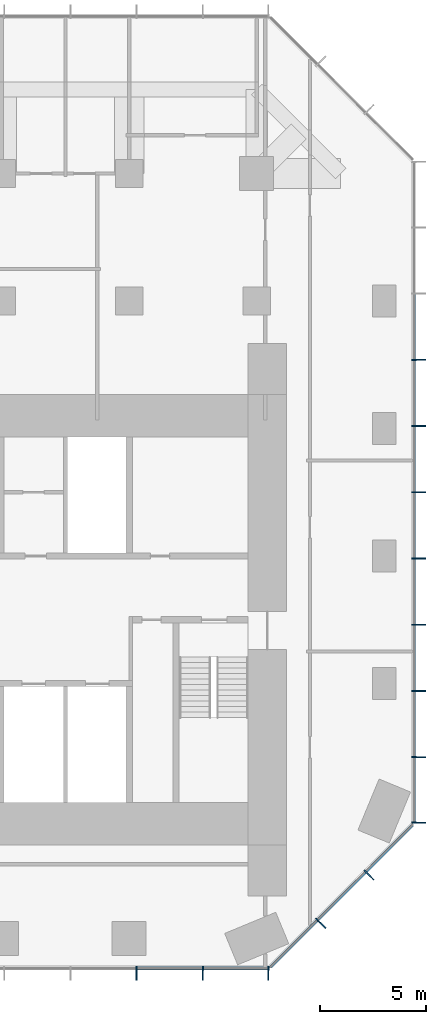
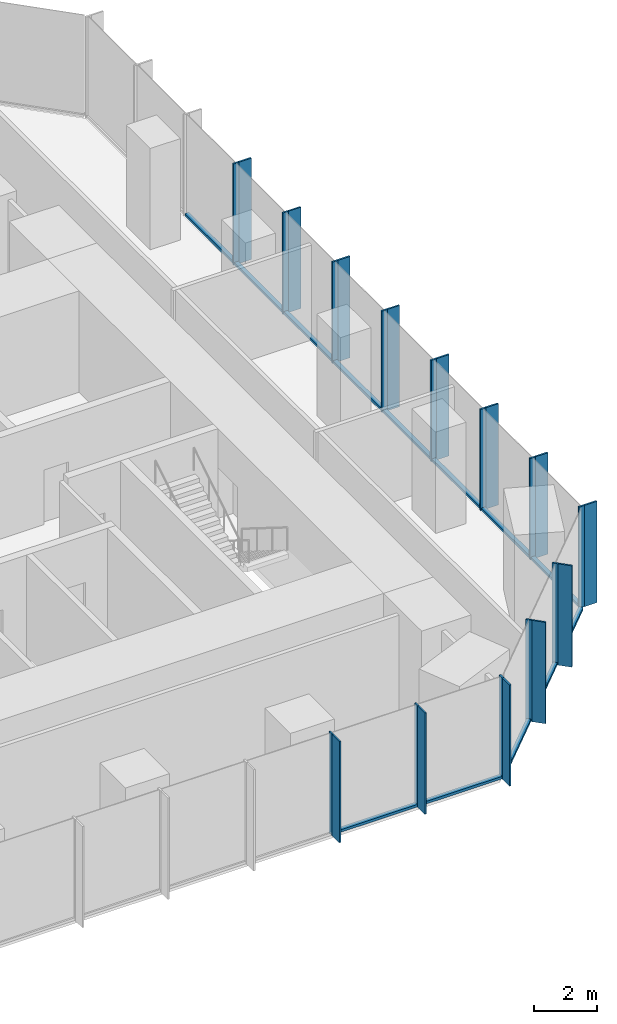
# One storey, part 4 of 11: 39 members, 3 elements without a shape of their own.
"""IFC4 building model written with IfcOpenShell, lengths in metres."""

from ifc_helpers import new_model, si_unit, direction, frame, origin, origin_2d, place, context, subcontext, project, spatial, rectangle, extrude, material, layer, layer_set, material_profile, profile_set, type_object, element, aggregate, save


model = new_model("IFC4")

# Units and contexts
model_context = context("Model", 3, precision=1e-05, world=origin(), true_north=direction((0.0, 1.0)))
body_context = subcontext(model_context, "Body", "Model", "MODEL_VIEW")
ifc_project = project(units=[si_unit("LENGTHUNIT", "METRE"), si_unit("AREAUNIT", "SQUARE_METRE"), si_unit("VOLUMEUNIT", "CUBIC_METRE"), si_unit("PLANEANGLEUNIT", "RADIAN"), si_unit("MASSUNIT", "GRAM", prefix="KILO")], contexts=[model_context])

# Site, building, storey
site_placement = place(None, origin())
site = spatial("IfcSite", under=ifc_project, at=site_placement, CompositionType="ELEMENT")
building_placement = place(site_placement, origin())
building = spatial("IfcBuilding", under=site, at=building_placement, Name="Highveld Stack Headquarters", CompositionType="ELEMENT")
storey_placement = place(building_placement, frame((0.0, 0.0, 204.5)))
storey = spatial("IfcBuildingStorey", under=building, at=storey_placement, Name="L50", CompositionType="ELEMENT", Elevation=204.5)

# Curtain wall, members
ifc_material_1 = material(Name="Aluminium bronze anodised", Category="aluminium")
ifc_layer_1 = layer(ifc_material_1, 0.199951171875)
ifc_layer_set_1 = layer_set([ifc_layer_1], Name="Aluminium bronze anodised")
curtain_wall_type_1 = type_object("IfcCurtainWallType", Name="CW1 TOWER UNITISED CURTAIN WALL", PredefinedType="NOTDEFINED", material=ifc_layer_set_1)
curtain_wall_1_placement = place(storey_placement, origin())
curtain_wall_1 = element("IfcCurtainWall", 1, at=curtain_wall_1_placement, inside=storey, type_object=curtain_wall_type_1, Name="Curtain wall CW1 L50 S", PredefinedType="NOTDEFINED")
ifc_material_2 = material(Name="Aluminium bronze anodised", Category="aluminium")
ifc_material_profile_1 = material_profile(ifc_material_2, rectangle(XDim=0.449951171875, YDim=0.06005859375, at=origin_2d()), Name="FIN 450x60")
ifc_profile_set_1 = profile_set([ifc_material_profile_1], Name="Aluminium bronze anodised")
member_type_1 = type_object("IfcMemberType", Name="CW1 BRONZE FIN 450x60", PredefinedType="USERDEFINED", material=ifc_profile_set_1)
member_1_placement = place(storey_placement, frame((12.347900390625, -13.72509765625, 0.0), z_axis=(0.0, 0.0, 1.0), x_axis=(0.0, 1.0, 0.0)))
member_1 = element("IfcMember", 2, at=member_1_placement, type_object=member_type_1, Name="CW1 fin L50 9", ObjectType="FIN", PredefinedType="USERDEFINED", context=body_context, shape_type="SweptSolid", body=[
    extrude(rectangle(XDim=0.449951171875, YDim=0.06005859375, at=origin_2d()), origin(), (0.0, 0.0, 1.0), 3.89990234375),
])
member_2_placement = place(storey_placement, frame((15.4638671875, -13.72509765625, 0.0), z_axis=(0.0, 0.0, 1.0), x_axis=(0.0, 1.0, 0.0)))
member_2 = element("IfcMember", 3, at=member_2_placement, type_object=member_type_1, Name="CW1 fin L50 10", ObjectType="FIN", PredefinedType="USERDEFINED", context=body_context, shape_type="SweptSolid", body=[
    extrude(rectangle(XDim=0.449951171875, YDim=0.06005859375, at=origin_2d()), origin(), (0.0, 0.0, 1.0), 3.89990234375),
])
member_3_placement = place(storey_placement, frame((18.54736328125, -13.72509765625, 0.0), z_axis=(0.0, 0.0, 1.0), x_axis=(0.0, 1.0, 0.0)))
member_3 = element("IfcMember", 4, at=member_3_placement, type_object=member_type_1, Name="CW1 fin L50 11", ObjectType="FIN", PredefinedType="USERDEFINED", context=body_context, shape_type="SweptSolid", body=[
    extrude(rectangle(XDim=0.449951171875, YDim=0.06005859375, at=origin_2d()), origin(), (0.0, 0.0, 1.0), 3.89990234375),
])

curtain_wall_2_placement = place(storey_placement, origin())
curtain_wall_2 = element("IfcCurtainWall", 5, at=curtain_wall_2_placement, inside=storey, type_object=curtain_wall_type_1, Name="Curtain wall CW1 L50 E", PredefinedType="NOTDEFINED")
member_4_placement = place(storey_placement, frame((25.72509765625, -6.54736328125, 0.0), z_axis=(0.0, 0.0, 1.0), x_axis=(-1.0, 0.0, 0.0)))
member_4 = element("IfcMember", 6, at=member_4_placement, type_object=member_type_1, Name="CW1 fin L50 1", ObjectType="FIN", PredefinedType="USERDEFINED", context=body_context, shape_type="SweptSolid", body=[
    extrude(rectangle(XDim=0.449951171875, YDim=0.06005859375, at=origin_2d()), origin(), (0.0, 0.0, 1.0), 3.89990234375),
])
member_5_placement = place(storey_placement, frame((25.72509765625, -3.4638671875, 0.0), z_axis=(0.0, 0.0, 1.0), x_axis=(-1.0, 0.0, 0.0)))
member_5 = element("IfcMember", 7, at=member_5_placement, type_object=member_type_1, Name="CW1 fin L50 2", ObjectType="FIN", PredefinedType="USERDEFINED", context=body_context, shape_type="SweptSolid", body=[
    extrude(rectangle(XDim=0.449951171875, YDim=0.06005859375, at=origin_2d()), origin(), (0.0, 0.0, 1.0), 3.89990234375),
])
member_6_placement = place(storey_placement, frame((25.72509765625, -0.347900390625, 0.0), z_axis=(0.0, 0.0, 1.0), x_axis=(-1.0, 0.0, 0.0)))
member_6 = element("IfcMember", 8, at=member_6_placement, type_object=member_type_1, Name="CW1 fin L50 3", ObjectType="FIN", PredefinedType="USERDEFINED", context=body_context, shape_type="SweptSolid", body=[
    extrude(rectangle(XDim=0.449951171875, YDim=0.06005859375, at=origin_2d()), origin(), (0.0, 0.0, 1.0), 3.89990234375),
])
member_7_placement = place(storey_placement, frame((25.72509765625, 2.76806640625, 0.0), z_axis=(0.0, 0.0, 1.0), x_axis=(-1.0, 0.0, 0.0)))
member_7 = element("IfcMember", 9, at=member_7_placement, type_object=member_type_1, Name="CW1 fin L50 4", ObjectType="FIN", PredefinedType="USERDEFINED", context=body_context, shape_type="SweptSolid", body=[
    extrude(rectangle(XDim=0.449951171875, YDim=0.06005859375, at=origin_2d()), origin(), (0.0, 0.0, 1.0), 3.89990234375),
])
member_8_placement = place(storey_placement, frame((25.72509765625, 5.884033203125, 0.0), z_axis=(0.0, 0.0, 1.0), x_axis=(-1.0, 0.0, 0.0)))
member_8 = element("IfcMember", 10, at=member_8_placement, type_object=member_type_1, Name="CW1 fin L50 5", ObjectType="FIN", PredefinedType="USERDEFINED", context=body_context, shape_type="SweptSolid", body=[
    extrude(rectangle(XDim=0.449951171875, YDim=0.06005859375, at=origin_2d()), origin(), (0.0, 0.0, 1.0), 3.89990234375),
])
member_9_placement = place(storey_placement, frame((25.72509765625, 9.0, 0.0), z_axis=(0.0, 0.0, 1.0), x_axis=(-1.0, 0.0, 0.0)))
member_9 = element("IfcMember", 11, at=member_9_placement, type_object=member_type_1, Name="CW1 fin L50 6", ObjectType="FIN", PredefinedType="USERDEFINED", context=body_context, shape_type="SweptSolid", body=[
    extrude(rectangle(XDim=0.449951171875, YDim=0.06005859375, at=origin_2d()), origin(), (0.0, 0.0, 1.0), 3.89990234375),
])
member_10_placement = place(storey_placement, frame((25.72509765625, 12.115966796875, 0.0), z_axis=(0.0, 0.0, 1.0), x_axis=(-1.0, 0.0, 0.0)))
member_10 = element("IfcMember", 12, at=member_10_placement, type_object=member_type_1, Name="CW1 fin L50 7", ObjectType="FIN", PredefinedType="USERDEFINED", context=body_context, shape_type="SweptSolid", body=[
    extrude(rectangle(XDim=0.449951171875, YDim=0.06005859375, at=origin_2d()), origin(), (0.0, 0.0, 1.0), 3.89990234375),
])
member_11_placement = place(storey_placement, frame((25.72509765625, 15.23193359375, 0.0), z_axis=(0.0, 0.0, 1.0), x_axis=(-1.0, 0.0, 0.0)))
member_11 = element("IfcMember", 13, at=member_11_placement, type_object=member_type_1, Name="CW1 fin L50 8", ObjectType="FIN", PredefinedType="USERDEFINED", context=body_context, shape_type="SweptSolid", body=[
    extrude(rectangle(XDim=0.449951171875, YDim=0.06005859375, at=origin_2d()), origin(), (0.0, 0.0, 1.0), 3.89990234375),
])

# Member
ifc_material_3 = material(Name="Aluminium bronze anodised", Category="aluminium")
ifc_material_profile_2 = material_profile(ifc_material_3, rectangle(XDim=0.199951171875, YDim=0.06494140625, at=origin_2d()), Name="CW1 MULLION 65x200")
ifc_profile_set_2 = profile_set([ifc_material_profile_2], Name="Aluminium bronze anodised")
member_type_2 = type_object("IfcMemberType", Name="CW1 MULLION 65x200", PredefinedType="MULLION", material=ifc_profile_set_2)
member_12_placement = place(storey_placement, frame((12.347900390625, -13.39990234375, 0.0), z_axis=(0.0, 0.0, 1.0), x_axis=(0.0, 1.0, 0.0)))
member_12 = element("IfcMember", 14, at=member_12_placement, type_object=member_type_2, Name="CW1 mullion L50 9", PredefinedType="MULLION", context=body_context, shape_type="SweptSolid", body=[
    extrude(rectangle(XDim=0.199951171875, YDim=0.06494140625, at=origin_2d()), origin(), (0.0, 0.0, 1.0), 3.89990234375),
])

member_13_placement = place(storey_placement, frame((15.4638671875, -13.39990234375, 0.0), z_axis=(0.0, 0.0, 1.0), x_axis=(0.0, 1.0, 0.0)))
member_13 = element("IfcMember", 15, at=member_13_placement, type_object=member_type_2, Name="CW1 mullion L50 10", PredefinedType="MULLION", context=body_context, shape_type="SweptSolid", body=[
    extrude(rectangle(XDim=0.199951171875, YDim=0.06494140625, at=origin_2d()), origin(), (0.0, 0.0, 1.0), 3.89990234375),
])

member_14_placement = place(storey_placement, frame((18.54736328125, -13.39990234375, 0.0), z_axis=(0.0, 0.0, 1.0), x_axis=(0.0, 1.0, 0.0)))
member_14 = element("IfcMember", 16, at=member_14_placement, type_object=member_type_2, Name="CW1 mullion L50 11", PredefinedType="MULLION", context=body_context, shape_type="SweptSolid", body=[
    extrude(rectangle(XDim=0.199951171875, YDim=0.06494140625, at=origin_2d()), origin(), (0.0, 0.0, 1.0), 3.89990234375),
])

member_15_placement = place(storey_placement, frame((25.39990234375, -6.54736328125, 0.0), z_axis=(0.0, 0.0, 1.0), x_axis=(-1.0, 0.0, 0.0)))
member_15 = element("IfcMember", 17, at=member_15_placement, type_object=member_type_2, Name="CW1 mullion L50 1", PredefinedType="MULLION", context=body_context, shape_type="SweptSolid", body=[
    extrude(rectangle(XDim=0.199951171875, YDim=0.06494140625, at=origin_2d()), origin(), (0.0, 0.0, 1.0), 3.89990234375),
])

member_16_placement = place(storey_placement, frame((25.39990234375, -3.4638671875, 0.0), z_axis=(0.0, 0.0, 1.0), x_axis=(-1.0, 0.0, 0.0)))
member_16 = element("IfcMember", 18, at=member_16_placement, type_object=member_type_2, Name="CW1 mullion L50 2", PredefinedType="MULLION", context=body_context, shape_type="SweptSolid", body=[
    extrude(rectangle(XDim=0.199951171875, YDim=0.06494140625, at=origin_2d()), origin(), (0.0, 0.0, 1.0), 3.89990234375),
])

member_17_placement = place(storey_placement, frame((25.39990234375, -0.347900390625, 0.0), z_axis=(0.0, 0.0, 1.0), x_axis=(-1.0, 0.0, 0.0)))
member_17 = element("IfcMember", 19, at=member_17_placement, type_object=member_type_2, Name="CW1 mullion L50 3", PredefinedType="MULLION", context=body_context, shape_type="SweptSolid", body=[
    extrude(rectangle(XDim=0.199951171875, YDim=0.06494140625, at=origin_2d()), origin(), (0.0, 0.0, 1.0), 3.89990234375),
])

member_18_placement = place(storey_placement, frame((25.39990234375, 2.76806640625, 0.0), z_axis=(0.0, 0.0, 1.0), x_axis=(-1.0, 0.0, 0.0)))
member_18 = element("IfcMember", 20, at=member_18_placement, type_object=member_type_2, Name="CW1 mullion L50 4", PredefinedType="MULLION", context=body_context, shape_type="SweptSolid", body=[
    extrude(rectangle(XDim=0.199951171875, YDim=0.06494140625, at=origin_2d()), origin(), (0.0, 0.0, 1.0), 3.89990234375),
])

member_19_placement = place(storey_placement, frame((25.39990234375, 5.884033203125, 0.0), z_axis=(0.0, 0.0, 1.0), x_axis=(-1.0, 0.0, 0.0)))
member_19 = element("IfcMember", 21, at=member_19_placement, type_object=member_type_2, Name="CW1 mullion L50 5", PredefinedType="MULLION", context=body_context, shape_type="SweptSolid", body=[
    extrude(rectangle(XDim=0.199951171875, YDim=0.06494140625, at=origin_2d()), origin(), (0.0, 0.0, 1.0), 3.89990234375),
])

member_20_placement = place(storey_placement, frame((25.39990234375, 9.0, 0.0), z_axis=(0.0, 0.0, 1.0), x_axis=(-1.0, 0.0, 0.0)))
member_20 = element("IfcMember", 22, at=member_20_placement, type_object=member_type_2, Name="CW1 mullion L50 6", PredefinedType="MULLION", context=body_context, shape_type="SweptSolid", body=[
    extrude(rectangle(XDim=0.199951171875, YDim=0.06494140625, at=origin_2d()), origin(), (0.0, 0.0, 1.0), 3.89990234375),
])

member_21_placement = place(storey_placement, frame((25.39990234375, 12.115966796875, 0.0), z_axis=(0.0, 0.0, 1.0), x_axis=(-1.0, 0.0, 0.0)))
member_21 = element("IfcMember", 23, at=member_21_placement, type_object=member_type_2, Name="CW1 mullion L50 7", PredefinedType="MULLION", context=body_context, shape_type="SweptSolid", body=[
    extrude(rectangle(XDim=0.199951171875, YDim=0.06494140625, at=origin_2d()), origin(), (0.0, 0.0, 1.0), 3.89990234375),
])

member_22_placement = place(storey_placement, frame((25.39990234375, 15.23193359375, 0.0), z_axis=(0.0, 0.0, 1.0), x_axis=(-1.0, 0.0, 0.0)))
member_22 = element("IfcMember", 24, at=member_22_placement, type_object=member_type_2, Name="CW1 mullion L50 8", PredefinedType="MULLION", context=body_context, shape_type="SweptSolid", body=[
    extrude(rectangle(XDim=0.199951171875, YDim=0.06494140625, at=origin_2d()), origin(), (0.0, 0.0, 1.0), 3.89990234375),
])

ifc_material_4 = material(Name="Aluminium bronze anodised", Category="aluminium")
ifc_material_profile_3 = material_profile(ifc_material_4, rectangle(XDim=0.14990234375, YDim=0.10009765625, at=origin_2d()), Name="CW1 TRANSOM 150x100")
ifc_profile_set_3 = profile_set([ifc_material_profile_3], Name="Aluminium bronze anodised")
member_type_3 = type_object("IfcMemberType", Name="CW1 STACK TRANSOM 150x100", PredefinedType="USERDEFINED", material=ifc_profile_set_3)
member_23_placement = place(storey_placement, frame((12.38037109375, -13.39990234375, 0.050048828125), z_axis=(1.0, 0.0, 0.0), x_axis=(0.0, 1.0, 0.0)))
member_23 = element("IfcMember", 25, at=member_23_placement, type_object=member_type_3, Name="CW1 transom L50 9.1", ObjectType="TRANSOM", PredefinedType="USERDEFINED", context=body_context, shape_type="SweptSolid", body=[
    extrude(rectangle(XDim=0.14990234375, YDim=0.10009765625, at=origin_2d()), origin(), (0.0, 0.0, 1.0), 3.051025390625),
])

member_24_placement = place(storey_placement, frame((15.496337890625, -13.39990234375, 0.050048828125), z_axis=(1.0, 0.0, 0.0), x_axis=(0.0, 1.0, 0.0)))
member_24 = element("IfcMember", 26, at=member_24_placement, type_object=member_type_3, Name="CW1 transom L50 10.1", ObjectType="TRANSOM", PredefinedType="USERDEFINED", context=body_context, shape_type="SweptSolid", body=[
    extrude(rectangle(XDim=0.14990234375, YDim=0.10009765625, at=origin_2d()), origin(), (0.0, 0.0, 1.0), 3.0185546875),
])

aggregate(curtain_wall_1, [member_12, member_1, member_13, member_2, member_14, member_3, member_23, member_24])

member_25_placement = place(storey_placement, frame((25.39990234375, -6.514892578125, 0.050048828125), z_axis=(0.0, 1.0, 0.0), x_axis=(-1.0, 0.0, 0.0)))
member_25 = element("IfcMember", 27, at=member_25_placement, type_object=member_type_3, Name="CW1 transom L50 1.1", ObjectType="TRANSOM", PredefinedType="USERDEFINED", context=body_context, shape_type="SweptSolid", body=[
    extrude(rectangle(XDim=0.14990234375, YDim=0.10009765625, at=origin_2d()), origin(), (0.0, 0.0, 1.0), 3.0185546875),
])

member_26_placement = place(storey_placement, frame((25.39990234375, -3.431396484375, 0.050048828125), z_axis=(0.0, 1.0, 0.0), x_axis=(-1.0, 0.0, 0.0)))
member_26 = element("IfcMember", 28, at=member_26_placement, type_object=member_type_3, Name="CW1 transom L50 2.1", ObjectType="TRANSOM", PredefinedType="USERDEFINED", context=body_context, shape_type="SweptSolid", body=[
    extrude(rectangle(XDim=0.14990234375, YDim=0.10009765625, at=origin_2d()), origin(), (0.0, 0.0, 1.0), 3.051025390625),
])

member_27_placement = place(storey_placement, frame((25.39990234375, -0.3154296875, 0.050048828125), z_axis=(0.0, 1.0, 0.0), x_axis=(-1.0, 0.0, 0.0)))
member_27 = element("IfcMember", 29, at=member_27_placement, type_object=member_type_3, Name="CW1 transom L50 3.1", ObjectType="TRANSOM", PredefinedType="USERDEFINED", context=body_context, shape_type="SweptSolid", body=[
    extrude(rectangle(XDim=0.14990234375, YDim=0.10009765625, at=origin_2d()), origin(), (0.0, 0.0, 1.0), 3.051025390625),
])

member_28_placement = place(storey_placement, frame((25.39990234375, 2.800537109375, 0.050048828125), z_axis=(0.0, 1.0, 0.0), x_axis=(-1.0, 0.0, 0.0)))
member_28 = element("IfcMember", 30, at=member_28_placement, type_object=member_type_3, Name="CW1 transom L50 4.1", ObjectType="TRANSOM", PredefinedType="USERDEFINED", context=body_context, shape_type="SweptSolid", body=[
    extrude(rectangle(XDim=0.14990234375, YDim=0.10009765625, at=origin_2d()), origin(), (0.0, 0.0, 1.0), 3.051025390625),
])

member_29_placement = place(storey_placement, frame((25.39990234375, 5.91650390625, 0.050048828125), z_axis=(0.0, 1.0, 0.0), x_axis=(-1.0, 0.0, 0.0)))
member_29 = element("IfcMember", 31, at=member_29_placement, type_object=member_type_3, Name="CW1 transom L50 5.1", ObjectType="TRANSOM", PredefinedType="USERDEFINED", context=body_context, shape_type="SweptSolid", body=[
    extrude(rectangle(XDim=0.14990234375, YDim=0.10009765625, at=origin_2d()), origin(), (0.0, 0.0, 1.0), 3.051025390625),
])

member_30_placement = place(storey_placement, frame((25.39990234375, 9.032470703125, 0.050048828125), z_axis=(0.0, 1.0, 0.0), x_axis=(-1.0, 0.0, 0.0)))
member_30 = element("IfcMember", 32, at=member_30_placement, type_object=member_type_3, Name="CW1 transom L50 6.1", ObjectType="TRANSOM", PredefinedType="USERDEFINED", context=body_context, shape_type="SweptSolid", body=[
    extrude(rectangle(XDim=0.14990234375, YDim=0.10009765625, at=origin_2d()), origin(), (0.0, 0.0, 1.0), 3.051025390625),
])

member_31_placement = place(storey_placement, frame((25.39990234375, 12.1484375, 0.050048828125), z_axis=(0.0, 1.0, 0.0), x_axis=(-1.0, 0.0, 0.0)))
member_31 = element("IfcMember", 33, at=member_31_placement, type_object=member_type_3, Name="CW1 transom L50 7.1", ObjectType="TRANSOM", PredefinedType="USERDEFINED", context=body_context, shape_type="SweptSolid", body=[
    extrude(rectangle(XDim=0.14990234375, YDim=0.10009765625, at=origin_2d()), origin(), (0.0, 0.0, 1.0), 3.051025390625),
])

member_32_placement = place(storey_placement, frame((25.39990234375, 15.264404296875, 0.050048828125), z_axis=(0.0, 1.0, 0.0), x_axis=(-1.0, 0.0, 0.0)))
member_32 = element("IfcMember", 34, at=member_32_placement, type_object=member_type_3, Name="CW1 transom L50 8.1", ObjectType="TRANSOM", PredefinedType="USERDEFINED", context=body_context, shape_type="SweptSolid", body=[
    extrude(rectangle(XDim=0.14990234375, YDim=0.10009765625, at=origin_2d()), origin(), (0.0, 0.0, 1.0), 3.051025390625),
])

aggregate(curtain_wall_2, [member_15, member_4, member_16, member_5, member_17, member_6, member_18, member_7, member_19, member_8, member_20, member_9, member_21, member_10, member_22, member_11, member_25, member_26, member_27, member_28, member_29, member_30, member_31, member_32])

# Curtain wall, members
ifc_material_5 = material(Name="Aluminium bronze anodised", Category="aluminium")
ifc_layer_2 = layer(ifc_material_5, 0.199951171875)
ifc_layer_set_2 = layer_set([ifc_layer_2], Name="Aluminium bronze anodised")
curtain_wall_type_2 = type_object("IfcCurtainWallType", Name="CW2 TOWER CHAMFER UNITISED CURTAIN WALL", PredefinedType="NOTDEFINED", material=ifc_layer_set_2)
curtain_wall_3_placement = place(storey_placement, origin())
curtain_wall_3 = element("IfcCurtainWall", 35, at=curtain_wall_3_placement, inside=storey, type_object=curtain_wall_type_2, Name="Curtain wall CW2 L50 SE", PredefinedType="NOTDEFINED")
ifc_material_6 = material(Name="Aluminium bronze anodised", Category="aluminium")
ifc_material_profile_4 = material_profile(ifc_material_6, rectangle(XDim=0.449951171875, YDim=0.06005859375, at=origin_2d()), Name="FIN 450x60")
ifc_profile_set_4 = profile_set([ifc_material_profile_4], Name="Aluminium bronze anodised")
member_type_4 = type_object("IfcMemberType", Name="CW2 BRONZE FIN 450x60", PredefinedType="USERDEFINED", material=ifc_profile_set_4)
member_33_placement = place(storey_placement, frame((21.0830078125, -11.3564453125, 0.0), z_axis=(0.0, 0.0, 1.0), x_axis=(-0.707106781187, 0.707106781187, 0.0)))
member_33 = element("IfcMember", 36, at=member_33_placement, type_object=member_type_4, Name="CW2 fin L50 1", ObjectType="FIN", PredefinedType="USERDEFINED", context=body_context, shape_type="SweptSolid", body=[
    extrude(rectangle(XDim=0.449951171875, YDim=0.06005859375, at=origin_2d()), origin(), (0.0, 0.0, 1.0), 3.89990234375),
])
member_34_placement = place(storey_placement, frame((23.3564453125, -9.0830078125, 0.0), z_axis=(0.0, 0.0, 1.0), x_axis=(-0.707106781187, 0.707106781187, 0.0)))
member_34 = element("IfcMember", 37, at=member_34_placement, type_object=member_type_4, Name="CW2 fin L50 2", ObjectType="FIN", PredefinedType="USERDEFINED", context=body_context, shape_type="SweptSolid", body=[
    extrude(rectangle(XDim=0.449951171875, YDim=0.06005859375, at=origin_2d()), origin(), (0.0, 0.0, 1.0), 3.89990234375),
])
ifc_material_7 = material(Name="Aluminium bronze anodised", Category="aluminium")
ifc_material_profile_5 = material_profile(ifc_material_7, rectangle(XDim=0.199951171875, YDim=0.06494140625, at=origin_2d()), Name="CW2 MULLION 65x200")
ifc_profile_set_5 = profile_set([ifc_material_profile_5], Name="Aluminium bronze anodised")
member_type_5 = type_object("IfcMemberType", Name="CW2 MULLION 65x200", PredefinedType="MULLION", material=ifc_profile_set_5)
member_35_placement = place(storey_placement, frame((20.853271484375, -11.126708984375, 0.0), z_axis=(0.0, 0.0, 1.0), x_axis=(-0.707106781187, 0.707106781187, 0.0)))
member_35 = element("IfcMember", 38, at=member_35_placement, type_object=member_type_5, Name="CW2 mullion L50 1", PredefinedType="MULLION", context=body_context, shape_type="SweptSolid", body=[
    extrude(rectangle(XDim=0.199951171875, YDim=0.06494140625, at=origin_2d()), origin(), (0.0, 0.0, 1.0), 3.89990234375),
])
member_36_placement = place(storey_placement, frame((23.126708984375, -8.853271484375, 0.0), z_axis=(0.0, 0.0, 1.0), x_axis=(-0.707106781187, 0.707106781187, 0.0)))
member_36 = element("IfcMember", 39, at=member_36_placement, type_object=member_type_5, Name="CW2 mullion L50 2", PredefinedType="MULLION", context=body_context, shape_type="SweptSolid", body=[
    extrude(rectangle(XDim=0.199951171875, YDim=0.06494140625, at=origin_2d()), origin(), (0.0, 0.0, 1.0), 3.89990234375),
])
ifc_material_8 = material(Name="Aluminium bronze anodised", Category="aluminium")
ifc_material_profile_6 = material_profile(ifc_material_8, rectangle(XDim=0.14990234375, YDim=0.10009765625, at=origin_2d()), Name="CW2 TRANSOM 150x100")
ifc_profile_set_6 = profile_set([ifc_material_profile_6], Name="Aluminium bronze anodised")
member_type_6 = type_object("IfcMemberType", Name="CW2 STACK TRANSOM 150x100", PredefinedType="USERDEFINED", material=ifc_profile_set_6)
member_37_placement = place(storey_placement, frame((18.650634765625, -13.329345703125, 0.050048828125), z_axis=(0.707106781187, 0.707106781187, 0.0), x_axis=(-0.707106781187, 0.707106781187, 0.0)))
member_37 = element("IfcMember", 40, at=member_37_placement, type_object=member_type_6, Name="CW2 transom L50 1.1", ObjectType="TRANSOM", PredefinedType="USERDEFINED", context=body_context, shape_type="SweptSolid", body=[
    extrude(rectangle(XDim=0.14990234375, YDim=0.10009765625, at=origin_2d()), origin(), (0.0, 0.0, 1.0), 3.08251953125),
])
member_38_placement = place(storey_placement, frame((20.876220703125, -11.103759765625, 0.050048828125), z_axis=(0.707106781187, 0.707106781187, 0.0), x_axis=(-0.707106781187, 0.707106781187, 0.0)))
member_38 = element("IfcMember", 41, at=member_38_placement, type_object=member_type_6, Name="CW2 transom L50 2.1", ObjectType="TRANSOM", PredefinedType="USERDEFINED", context=body_context, shape_type="SweptSolid", body=[
    extrude(rectangle(XDim=0.14990234375, YDim=0.10009765625, at=origin_2d()), origin(), (0.0, 0.0, 1.0), 3.150146484375),
])
member_39_placement = place(storey_placement, frame((23.149658203125, -8.830322265625, 0.050048828125), z_axis=(0.707106781187, 0.707106781187, 0.0), x_axis=(-0.707106781187, 0.707106781187, 0.0)))
member_39 = element("IfcMember", 42, at=member_39_placement, type_object=member_type_6, Name="CW2 transom L50 3.1", ObjectType="TRANSOM", PredefinedType="USERDEFINED", context=body_context, shape_type="SweptSolid", body=[
    extrude(rectangle(XDim=0.14990234375, YDim=0.10009765625, at=origin_2d()), origin(), (0.0, 0.0, 1.0), 3.08251953125),
])
aggregate(curtain_wall_3, [member_35, member_33, member_36, member_34, member_37, member_38, member_39])

save(model, "model.ifc")
